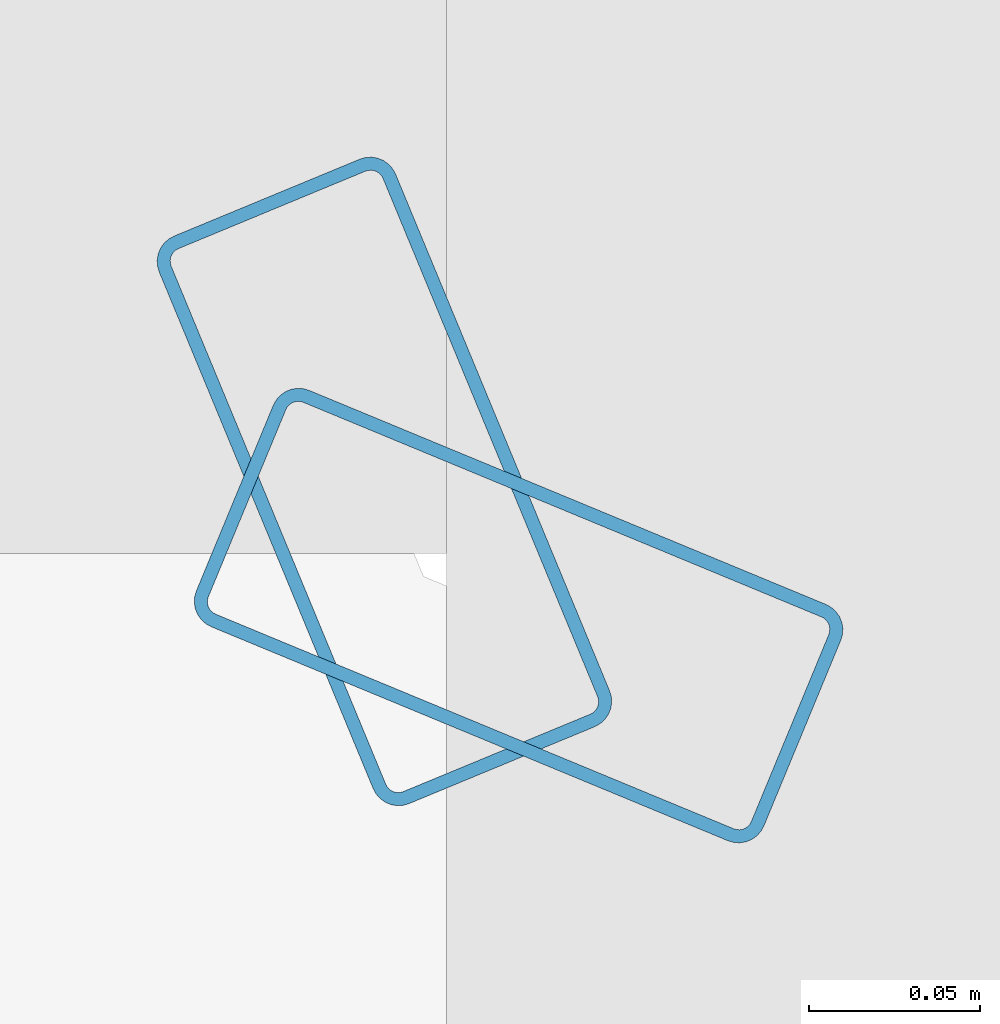
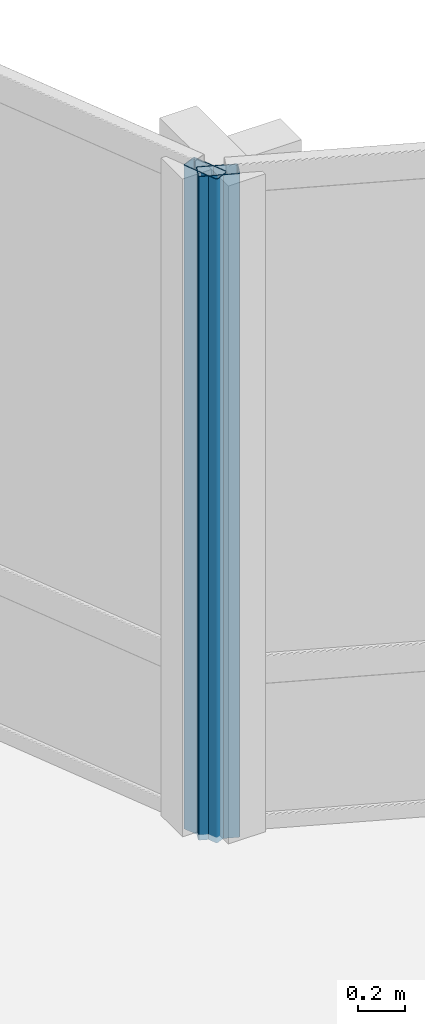
# One storey, part 8 of 34: 2 members, 2 elements without a shape of their own.
"""IFC4 building model written with IfcOpenShell, lengths in metres."""

from ifc_helpers import new_model, si_unit, direction, frame, origin, origin_2d, place, context, subcontext, project, spatial, hollow_rectangle, extrude, material, layer, layer_set, material_profile, profile_set, type_object, element, aggregate, save


model = new_model("IFC4")

# Units and contexts
model_context = context("Model", 3, precision=1e-05, world=origin(), true_north=direction((0.0, 1.0)))
body_context = subcontext(model_context, "Body", "Model", "MODEL_VIEW")
ifc_project = project(units=[si_unit("LENGTHUNIT", "METRE"), si_unit("AREAUNIT", "SQUARE_METRE"), si_unit("VOLUMEUNIT", "CUBIC_METRE"), si_unit("PLANEANGLEUNIT", "RADIAN"), si_unit("MASSUNIT", "GRAM", prefix="KILO")], contexts=[model_context])

# Site, building, storey
site_placement = place(None, origin())
site = spatial("IfcSite", under=ifc_project, at=site_placement, CompositionType="ELEMENT")
building_placement = place(site_placement, origin())
building = spatial("IfcBuilding", under=site, at=building_placement, Name="Solvaryn Broadcast Tower", CompositionType="ELEMENT")
storey_placement = place(building_placement, frame((0.0, 0.0, 54.5)))
storey = spatial("IfcBuildingStorey", under=building, at=storey_placement, Name="L12", CompositionType="ELEMENT", Elevation=54.5)

# Curtain wall, member
ifc_material_1 = material(Name="Aluminium and Terracotta Unitised Curtain Wall", Category="masonry")
ifc_layer = layer(ifc_material_1, 0.199951171875)
ifc_layer_set = layer_set([ifc_layer], Name="CW-SYS2-LOWMID")
curtain_wall_type = type_object("IfcCurtainWallType", Name="CW-SYS2-LOWMID", PredefinedType="NOTDEFINED", material=ifc_layer_set)
curtain_wall_1_placement = place(storey_placement, origin())
curtain_wall_1 = element("IfcCurtainWall", 1, at=curtain_wall_1_placement, inside=storey, type_object=curtain_wall_type, Name="L12 Curtain Wall CN1", PredefinedType="NOTDEFINED")
ifc_material_2 = material(Name="Anodised Aluminium 6063-T6", Category="aluminium")
ifc_material_profile = material_profile(ifc_material_2, hollow_rectangle(XDim=0.074951171875, YDim=0.179931640625, WallThickness=0.00390625, InnerFilletRadius=0.00390625, OuterFilletRadius=0.008056640625, at=origin_2d()))
ifc_profile_set = profile_set([ifc_material_profile], Name="Anodised Aluminium 6063-T6")
member_type = type_object("IfcMemberType", Name="CW-MUL-180", PredefinedType="MULLION", material=ifc_profile_set)
member_1_placement = place(storey_placement, frame((30.395751953125, 30.3564453125, 0.0), z_axis=(0.0, 0.0, 1.0), x_axis=(-0.382646127145, -0.923894983957, 0.0)))
member_1 = element("IfcMember", 2, at=member_1_placement, type_object=member_type, Name="CWS2 mullion 2", PredefinedType="MULLION", context=body_context, shape_type="SweptSolid", body=[
    extrude(hollow_rectangle(XDim=0.074951171875, YDim=0.179931640625, WallThickness=0.00390625, InnerFilletRadius=0.00390625, OuterFilletRadius=0.008056640625, at=origin_2d()), origin(), (0.0, 0.0, 1.0), 3.419921875),
])
aggregate(curtain_wall_1, [member_1])

curtain_wall_2_placement = place(storey_placement, origin())
curtain_wall_2 = element("IfcCurtainWall", 3, at=curtain_wall_2_placement, inside=storey, type_object=curtain_wall_type, Name="L12 Curtain Wall CN2", PredefinedType="NOTDEFINED")
member_2_placement = place(storey_placement, frame((30.3564453125, 30.395751953125, 0.0), z_axis=(0.0, 0.0, 1.0), x_axis=(-0.923894983957, -0.382646127145, 0.0)))
member_2 = element("IfcMember", 4, at=member_2_placement, type_object=member_type, Name="CWS2 mullion 1", PredefinedType="MULLION", context=body_context, shape_type="SweptSolid", body=[
    extrude(hollow_rectangle(XDim=0.074951171875, YDim=0.179931640625, WallThickness=0.00390625, InnerFilletRadius=0.00390625, OuterFilletRadius=0.008056640625, at=origin_2d()), origin(), (0.0, 0.0, 1.0), 3.419921875),
])
aggregate(curtain_wall_2, [member_2])

save(model, "model.ifc")
